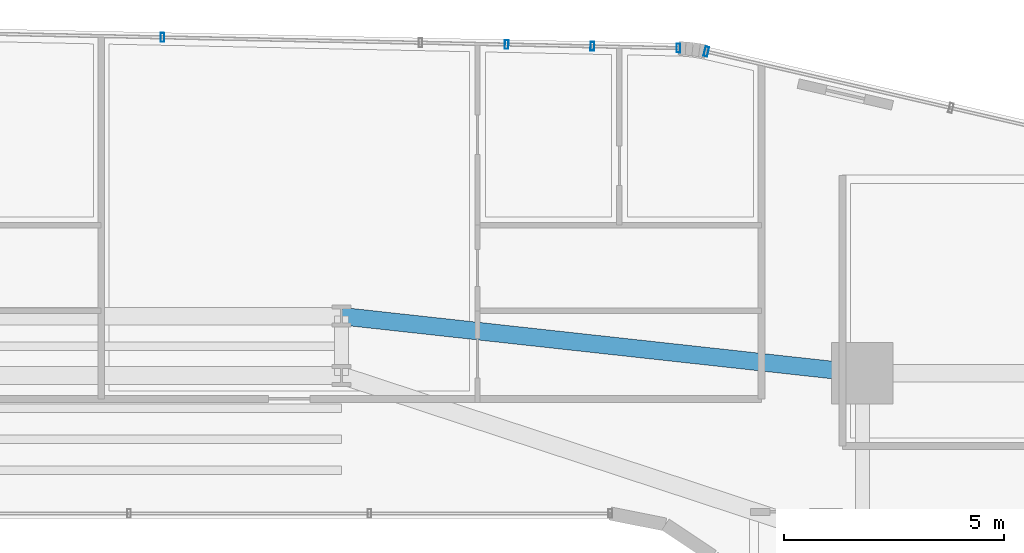
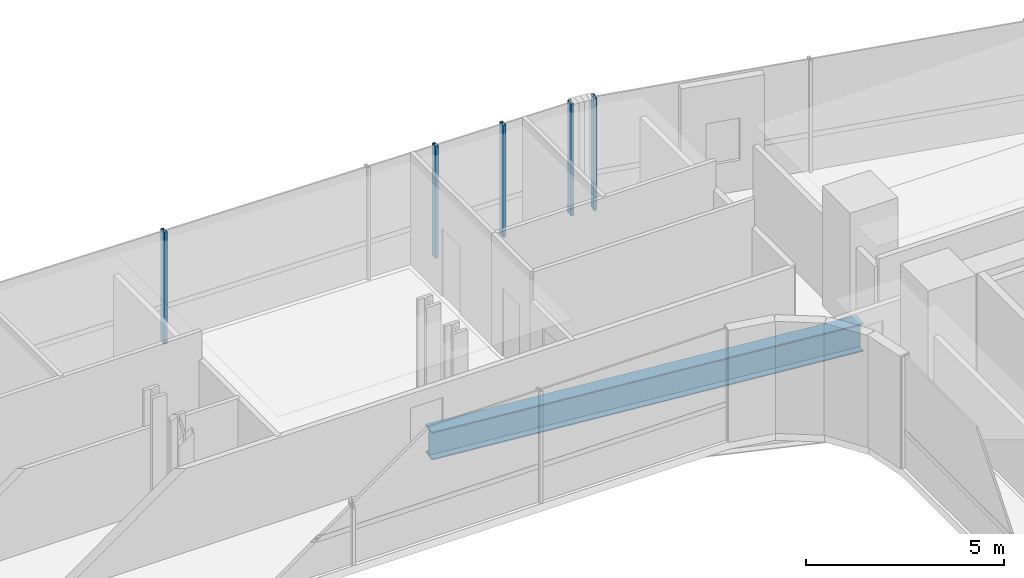
# One storey, part 21 of 40: 5 members, 1 beam, 2 elements without a shape of their own.
"""IFC4 building model written with IfcOpenShell, lengths in metres."""

from ifc_helpers import new_model, si_unit, direction, frame, origin, origin_2d, place, context, subcontext, project, spatial, hollow_rectangle, i_section, extrude, source, transform, mapped, material, material_profile, profile_set, type_object, element, aggregate, save


model = new_model("IFC4")

# Units and contexts
model_context = context("Model", 3, precision=1e-05, world=origin(), true_north=direction((0.0, 1.0)))
body_context = subcontext(model_context, "Body", "Model", "MODEL_VIEW")
ifc_project = project(units=[si_unit("LENGTHUNIT", "METRE"), si_unit("AREAUNIT", "SQUARE_METRE"), si_unit("VOLUMEUNIT", "CUBIC_METRE"), si_unit("PLANEANGLEUNIT", "RADIAN"), si_unit("MASSUNIT", "GRAM", prefix="KILO")], contexts=[model_context])

# Site, building, storey
site_placement = place(None, origin())
site = spatial("IfcSite", under=ifc_project, at=site_placement, CompositionType="ELEMENT")
building_placement = place(site_placement, origin())
building = spatial("IfcBuilding", under=site, at=building_placement, Name="Valdorenza Pilgrim Sanctuary Tower", CompositionType="ELEMENT")
storey_placement = place(building_placement, frame((0.0, 0.0, 40.800048828125)))
storey = spatial("IfcBuildingStorey", under=building, at=storey_placement, Name="L09", CompositionType="ELEMENT", Elevation=40.800048828125)

# Beam
ifc_material_1 = material(Name="Steel ASTM A992 Grade 50", Category="steel")
ifc_material_profile_1 = material_profile(ifc_material_1, i_section(OverallWidth=0.39990234375, OverallDepth=0.862060546875, WebThickness=0.019775390625, FlangeThickness=0.032470703125, at=origin_2d()), Name="W33X221")
ifc_profile_set_1 = profile_set([ifc_material_profile_1], Name="Steel ASTM A992 Grade 50")
beam_type = type_object("IfcBeamType", Name="STR-BM-GRD-W33", PredefinedType="BEAM", material=ifc_profile_set_1)
shared_shape_1 = source(origin(), body_context, "Body", "SweptSolid", [
    extrude(i_section(OverallWidth=0.39990234375, OverallDepth=0.862060546875, WebThickness=0.019775390625, FlangeThickness=0.032470703125, at=origin_2d()), origin(), (0.0, 0.0, 1.0), 11.921142578125),
])
beam_placement = place(storey_placement, frame((4.0, 14.800048828125, -0.671142578125), z_axis=(0.994035876607, -0.10905354656, 0.0), x_axis=(0.10905354656, 0.994035876607, 0.0)))
element("IfcBeam", 1, at=beam_placement, inside=storey, type_object=beam_type, Name="L09 Floor Girder KNK-G6", PredefinedType="BEAM", context=body_context, shape_type="MappedRepresentation", body=[
    mapped(shared_shape_1, transform((0.0, 0.0, 0.0), x_axis=(1.0, 0.0, 0.0), y_axis=(0.0, 1.0, 0.0), z_axis=(0.0, 0.0, 1.0), scale=1.0)),
])

# Curtain wall, members
ifc_material_2 = material(Name="Curtain-wall IGU glazing", Category="glass")
curtain_wall_type_1 = type_object("IfcCurtainWallType", Name="CW-SYS-02", PredefinedType="NOTDEFINED", material=ifc_material_2)
curtain_wall_1_placement = place(storey_placement, origin())
curtain_wall_1 = element("IfcCurtainWall", 2, at=curtain_wall_1_placement, inside=storey, type_object=curtain_wall_type_1, Name="L09 Curtain Wall CW-L09-1-11", PredefinedType="NOTDEFINED")
ifc_material_3 = material(Name="Anodised aluminium AW-6060", Category="aluminium")
ifc_material_profile_2 = material_profile(ifc_material_3, hollow_rectangle(XDim=0.0849609375, YDim=0.199951171875, WallThickness=0.0048828125, at=origin_2d()), Name="ALU-M 200x85x5")
ifc_profile_set_2 = profile_set([ifc_material_profile_2], Name="Anodised aluminium AW-6060")
member_type_1 = type_object("IfcMemberType", Name="CW-MUL-02", PredefinedType="MULLION", material=ifc_profile_set_2)
shared_shape_2 = source(origin(), body_context, "Body", "SweptSolid", [
    extrude(hollow_rectangle(XDim=0.0849609375, YDim=0.199951171875, WallThickness=0.0048828125, at=origin_2d()), origin(), (0.0, 0.0, 1.0), 3.4599609375),
])
member_1_placement = place(storey_placement, frame((-0.0712890625, 21.1416015625, 0.0), z_axis=(0.0, 0.0, 1.0), x_axis=(0.999783234613, -0.020820273474, 0.0)))
member_1 = element("IfcMember", 3, at=member_1_placement, type_object=member_type_1, Name="CW-L09-1-11 Mullion 3", PredefinedType="MULLION", context=body_context, shape_type="MappedRepresentation", body=[
    mapped(shared_shape_2, transform((0.0, 0.0, 0.0), x_axis=(1.0, 0.0, 0.0), y_axis=(0.0, 1.0, 0.0), z_axis=(0.0, 0.0, 1.0), scale=1.0)),
])
member_2_placement = place(storey_placement, frame((11.665771484375, 20.89697265625, 0.0), z_axis=(0.0, 0.0, 1.0), x_axis=(0.999783234613, -0.020820273474, 0.0)))
member_2 = element("IfcMember", 4, at=member_2_placement, type_object=member_type_1, Name="CW-L09-1-11 Mullion 5", PredefinedType="MULLION", context=body_context, shape_type="MappedRepresentation", body=[
    mapped(shared_shape_2, transform((0.0, 0.0, 0.0), x_axis=(1.0, 0.0, 0.0), y_axis=(0.0, 1.0, 0.0), z_axis=(0.0, 0.0, 1.0), scale=1.0)),
])
member_3_placement = place(storey_placement, frame((7.756591796875, 20.978515625, 0.0), z_axis=(0.0, 0.0, 1.0), x_axis=(0.999783234613, -0.020820273474, 0.0)))
member_3 = element("IfcMember", 5, at=member_3_placement, type_object=member_type_1, Name="CW-L09-1-11 Sub-Mullion 9-1", PredefinedType="MULLION", context=body_context, shape_type="MappedRepresentation", body=[
    mapped(shared_shape_2, transform((0.0, 0.0, 0.0), x_axis=(1.0, 0.0, 0.0), y_axis=(0.0, 1.0, 0.0), z_axis=(0.0, 0.0, 1.0), scale=1.0)),
])
member_4_placement = place(storey_placement, frame((9.706298828125, 20.937744140625, 0.0), z_axis=(0.0, 0.0, 1.0), x_axis=(0.999783234613, -0.020820273474, 0.0)))
member_4 = element("IfcMember", 6, at=member_4_placement, type_object=member_type_1, Name="CW-L09-1-11 Sub-Mullion 9-2", PredefinedType="MULLION", context=body_context, shape_type="MappedRepresentation", body=[
    mapped(shared_shape_2, transform((0.0, 0.0, 0.0), x_axis=(1.0, 0.0, 0.0), y_axis=(0.0, 1.0, 0.0), z_axis=(0.0, 0.0, 1.0), scale=1.0)),
])
aggregate(curtain_wall_1, [member_1, member_2, member_3, member_4])

# Curtain wall, member
curtain_wall_type_2 = type_object("IfcCurtainWallType", Name="CW-SYS-03", PredefinedType="NOTDEFINED", material=ifc_material_2)
curtain_wall_2_placement = place(storey_placement, origin())
curtain_wall_2 = element("IfcCurtainWall", 7, at=curtain_wall_2_placement, inside=storey, type_object=curtain_wall_type_2, Name="L09 Curtain Wall CW-L09-1-16", PredefinedType="NOTDEFINED")
ifc_material_profile_3 = material_profile(ifc_material_3, hollow_rectangle(XDim=0.0849609375, YDim=0.219970703125, WallThickness=0.0048828125, at=origin_2d()), Name="ALU-M 220x85x5")
ifc_profile_set_3 = profile_set([ifc_material_profile_3], Name="Anodised aluminium AW-6060")
member_type_2 = type_object("IfcMemberType", Name="CW-MUL-03", PredefinedType="MULLION", material=ifc_profile_set_3)
shared_shape_3 = source(origin(), body_context, "Body", "SweptSolid", [
    extrude(hollow_rectangle(XDim=0.0849609375, YDim=0.219970703125, WallThickness=0.0048828125, at=origin_2d()), origin(), (0.0, 0.0, 1.0), 3.4599609375),
])
member_5_placement = place(storey_placement, frame((12.299072265625, 20.818115234375, 0.0), z_axis=(0.0, 0.0, 1.0), x_axis=(0.974389691758, -0.224866023659, 0.0)))
member_5 = element("IfcMember", 8, at=member_5_placement, type_object=member_type_2, Name="CW-L09-1-16 Mullion 1", PredefinedType="MULLION", context=body_context, shape_type="MappedRepresentation", body=[
    mapped(shared_shape_3, transform((0.0, 0.0, 0.0), x_axis=(1.0, 0.0, 0.0), y_axis=(0.0, 1.0, 0.0), z_axis=(0.0, 0.0, 1.0), scale=1.0)),
])
aggregate(curtain_wall_2, [member_5])

save(model, "model.ifc")
